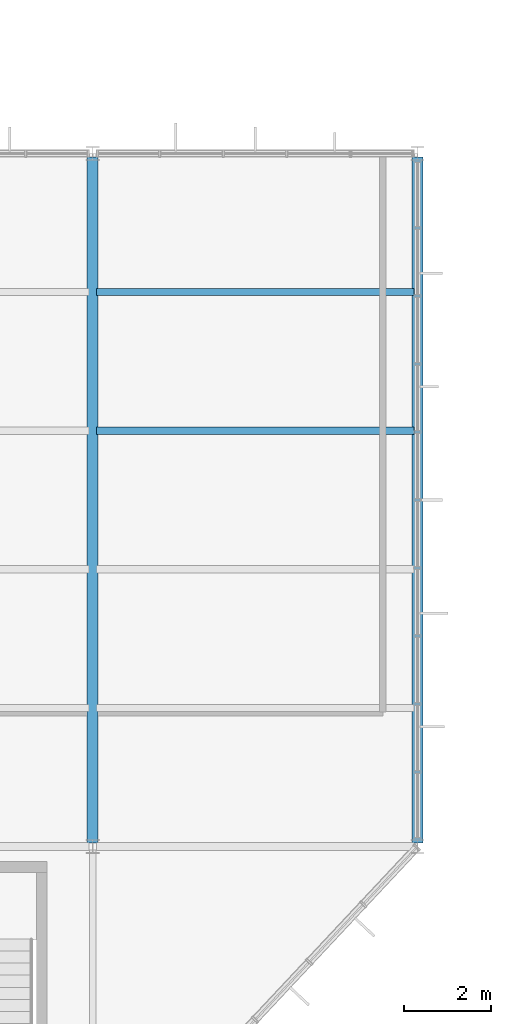
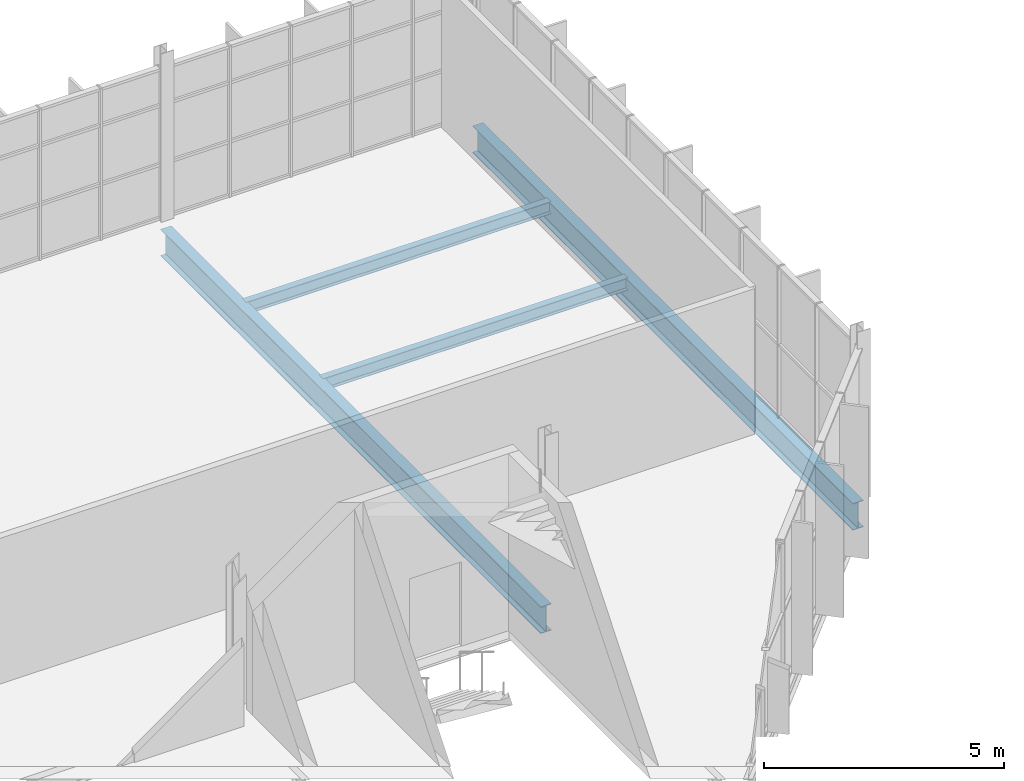
# One storey, part 64 of 324: 4 beams.
"""IFC4 building model written with IfcOpenShell, lengths in metres."""

from ifc_helpers import new_model, si_unit, direction, frame, origin, origin_2d, place, context, subcontext, project, spatial, i_section, extrude, material, material_profile, profile_set, type_object, element, save


model = new_model("IFC4")

# Units and contexts
model_context = context("Model", 3, precision=1e-05, world=origin(), true_north=direction((0.0, 1.0)))
body_context = subcontext(model_context, "Body", "Model", "MODEL_VIEW")
ifc_project = project(units=[si_unit("LENGTHUNIT", "METRE"), si_unit("AREAUNIT", "SQUARE_METRE"), si_unit("VOLUMEUNIT", "CUBIC_METRE"), si_unit("PLANEANGLEUNIT", "RADIAN"), si_unit("MASSUNIT", "GRAM", prefix="KILO")], contexts=[model_context])

# Site, building, storey
site_placement = place(None, origin())
site = spatial("IfcSite", under=ifc_project, at=site_placement, CompositionType="ELEMENT")
building_placement = place(site_placement, origin())
building = spatial("IfcBuilding", under=site, at=building_placement, Name="Solvenia Promenade Tram Depot", CompositionType="ELEMENT")
storey_placement = place(building_placement, frame((0.0, 0.0, 4.5)))
storey = spatial("IfcBuildingStorey", under=building, at=storey_placement, Name="L01", CompositionType="ELEMENT", Elevation=4.5)

# Beams
ifc_material = material(Name="Structural steel ASTM A992 Gr. 50", Category="steel")
ifc_material_profile_1 = material_profile(ifc_material, i_section(OverallWidth=0.25390625, OverallDepth=0.68408203125, WebThickness=0.012451171875, FlangeThickness=0.018798828125, FilletRadius=0.01611328125, at=origin_2d()), Name="W690x140", Category="steel")
ifc_profile_set_1 = profile_set([ifc_material_profile_1], Name="Structural steel ASTM A992 Gr. 50")
beam_type_1 = type_object("IfcBeamType", Name="Gird-W690x140", PredefinedType="BEAM", material=ifc_profile_set_1)
for number, where, z_axis, x_axis, name in (
    (1, (82.5, 8.0849609375, -0.56201171875), (0.0, 1.0, 0.0), (-1.0, 0.0, 0.0), "Transverse Girder BM-L01-0352"),
    (2, (90.0, 8.0849609375, -0.56201171875), (0.0, 1.0, 0.0), (-1.0, 0.0, 0.0), "Transverse Girder BM-L01-0353"),
):
    element("IfcBeam", number, at=place(storey_placement, frame(where, z_axis=z_axis, x_axis=x_axis)), inside=storey, type_object=beam_type_1, Name=name, PredefinedType="BEAM", context=body_context, shape_type="SweptSolid", body=[
        extrude(i_section(OverallWidth=0.25390625, OverallDepth=0.68408203125, WebThickness=0.012451171875, FlangeThickness=0.018798828125, FilletRadius=0.01611328125, at=origin_2d()), origin(), (0.0, 0.0, 1.0), 15.830078125),
    ])
ifc_material_profile_2 = material_profile(ifc_material, i_section(OverallWidth=0.166015625, OverallDepth=0.31298828125, WebThickness=0.006591796875, FlangeThickness=0.01123046875, FilletRadius=0.010009765625, at=origin_2d()), Name="W310x45", Category="steel")
ifc_profile_set_2 = profile_set([ifc_material_profile_2], Name="Structural steel ASTM A992 Gr. 50")
beam_type_2 = type_object("IfcBeamType", Name="Joist-W310x45", PredefinedType="JOIST", material=ifc_profile_set_2)
for number, where, z_axis, x_axis, name in (
    (3, (82.5849609375, 17.60009765625, -0.37646484375), (1.0, 0.0, 0.0), (0.0, 1.0, 0.0), "Secondary Floor Joist BM-L01-0412"),
    (4, (82.5849609375, 20.800048828125, -0.37646484375), (1.0, 0.0, 0.0), (0.0, 1.0, 0.0), "Secondary Floor Joist BM-L01-0413"),
):
    element("IfcBeam", number, at=place(storey_placement, frame(where, z_axis=z_axis, x_axis=x_axis)), inside=storey, type_object=beam_type_2, Name=name, PredefinedType="JOIST", context=body_context, shape_type="SweptSolid", body=[
        extrude(i_section(OverallWidth=0.166015625, OverallDepth=0.31298828125, WebThickness=0.006591796875, FlangeThickness=0.01123046875, FilletRadius=0.010009765625, at=origin_2d()), origin(), (0.0, 0.0, 1.0), 7.330078125),
    ])

save(model, "model.ifc")
